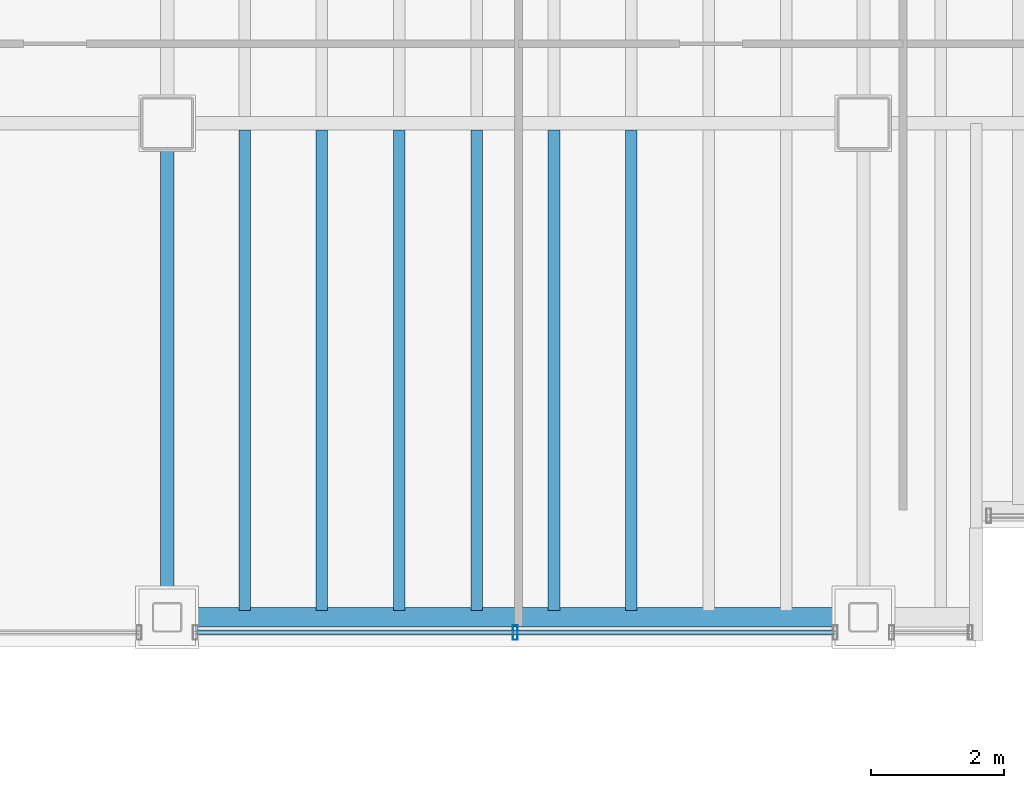
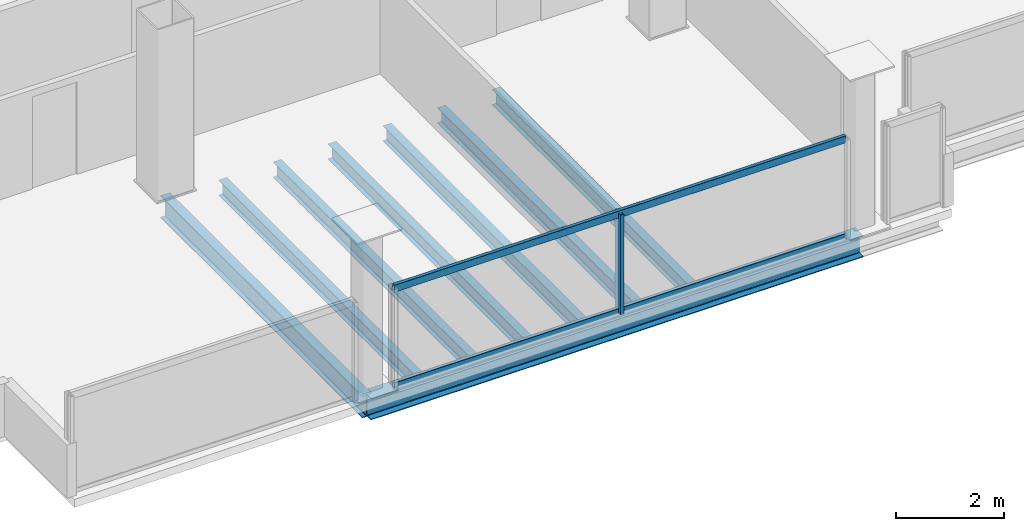
# One storey, part 3 of 16: 8 beams, 3 members, 1 element without a shape of its own.
"""IFC4 building model written with IfcOpenShell, lengths in metres."""

from ifc_helpers import new_model, si_unit, direction, frame, origin, origin_2d, place, context, subcontext, project, spatial, hollow_rectangle, i_section, extrude, material, material_profile, profile_set, type_object, element, aggregate, save


model = new_model("IFC4")

# Units and contexts
model_context = context("Model", 3, precision=1e-05, world=origin(), true_north=direction((0.0, 1.0)))
body_context = subcontext(model_context, "Body", "Model", "MODEL_VIEW")
ifc_project = project(units=[si_unit("LENGTHUNIT", "METRE"), si_unit("AREAUNIT", "SQUARE_METRE"), si_unit("VOLUMEUNIT", "CUBIC_METRE"), si_unit("PLANEANGLEUNIT", "RADIAN"), si_unit("MASSUNIT", "GRAM", prefix="KILO")], contexts=[model_context])

# Site, building, storey
site_placement = place(None, origin())
site = spatial("IfcSite", under=ifc_project, at=site_placement, CompositionType="ELEMENT")
building_placement = place(site_placement, origin())
building = spatial("IfcBuilding", under=site, at=building_placement, Name="Noeulbin Bourse Tower", CompositionType="ELEMENT")
storey_placement = place(building_placement, frame((0.0, 0.0, 254.0)))
storey = spatial("IfcBuildingStorey", under=building, at=storey_placement, Name="L63", CompositionType="ELEMENT", Elevation=254.0)

# Beams
ifc_material_1 = material(Name="Steel S355", Category="steel")
ifc_material_profile_1 = material_profile(ifc_material_1, i_section(OverallWidth=0.199951171875, OverallDepth=0.5, WebThickness=0.010009765625, FlangeThickness=0.01611328125, FilletRadius=0.02001953125, at=origin_2d()), Name="H-500x200x10x16", Category="LoadBearing")
ifc_profile_set_1 = profile_set([ifc_material_profile_1], Name="Steel S355")
beam_type_1 = type_object("IfcBeamType", Name="BM-GRD-500", PredefinedType="USERDEFINED", material=ifc_profile_set_1)
beam_1_placement = place(storey_placement, frame((13.5, 12.550048828125, -0.429931640625), z_axis=(0.0, 1.0, 0.0), x_axis=(-1.0, 0.0, 0.0)))
element("IfcBeam", 1, at=beam_1_placement, inside=storey, type_object=beam_type_1, Name="Tower Primary Girder NS L63-1.1", ObjectType="GIRDER", PredefinedType="USERDEFINED", context=body_context, shape_type="SweptSolid", body=[
    extrude(i_section(OverallWidth=0.199951171875, OverallDepth=0.5, WebThickness=0.010009765625, FlangeThickness=0.01611328125, FilletRadius=0.02001953125, at=origin_2d()), origin(), (0.0, 0.0, 1.0), 7.449951171875),
])
ifc_material_profile_2 = material_profile(ifc_material_1, i_section(OverallWidth=0.175048828125, OverallDepth=0.35009765625, WebThickness=0.007080078125, FlangeThickness=0.010986328125, FilletRadius=0.013916015625, at=origin_2d()), Name="H-350x175x7x11", Category="LoadBearing")
ifc_profile_set_2 = profile_set([ifc_material_profile_2], Name="Steel S355")
beam_type_2 = type_object("IfcBeamType", Name="BM-JST-350", PredefinedType="JOIST", material=ifc_profile_set_2)
for number, where, z_axis, x_axis, name in (
    (2, (14.666748046875, 12.64990234375, -0.35498046875), (0.0, 1.0, 0.0), (-1.0, 0.0, 0.0), "Tower Composite Joist L63-01"),
    (3, (15.833251953125, 12.64990234375, -0.35498046875), (0.0, 1.0, 0.0), (-1.0, 0.0, 0.0), "Tower Composite Joist L63-03"),
    (4, (17.0, 12.64990234375, -0.35498046875), (0.0, 1.0, 0.0), (-1.0, 0.0, 0.0), "Tower Composite Joist L63-05"),
    (5, (18.166748046875, 12.64990234375, -0.35498046875), (0.0, 1.0, 0.0), (-1.0, 0.0, 0.0), "Tower Composite Joist L63-07"),
    (6, (19.333251953125, 12.64990234375, -0.35498046875), (0.0, 1.0, 0.0), (-1.0, 0.0, 0.0), "Tower Composite Joist L63-09"),
    (7, (20.5, 12.64990234375, -0.35498046875), (0.0, 1.0, 0.0), (-1.0, 0.0, 0.0), "Tower Composite Joist L63-11"),
):
    element("IfcBeam", number, at=place(storey_placement, frame(where, z_axis=z_axis, x_axis=x_axis)), inside=storey, type_object=beam_type_2, Name=name, PredefinedType="JOIST", context=body_context, shape_type="SweptSolid", body=[
        extrude(i_section(OverallWidth=0.175048828125, OverallDepth=0.35009765625, WebThickness=0.007080078125, FlangeThickness=0.010986328125, FilletRadius=0.013916015625, at=origin_2d()), origin(), (0.0, 0.0, 1.0), 7.25),
    ])
ifc_material_profile_3 = material_profile(ifc_material_1, i_section(OverallWidth=0.300048828125, OverallDepth=0.488037109375, WebThickness=0.010986328125, FlangeThickness=0.01806640625, FilletRadius=0.02197265625, at=origin_2d()), Name="H-488x300x11x18", Category="LoadBearing")
ifc_profile_set_3 = profile_set([ifc_material_profile_3], Name="Steel S355")
beam_type_3 = type_object("IfcBeamType", Name="BM-SPN-488", PredefinedType="SPANDREL", material=ifc_profile_set_3)
beam_2_placement = place(storey_placement, frame((13.5, 12.550048828125, -0.424072265625), z_axis=(1.0, 0.0, 0.0), x_axis=(0.0, 1.0, 0.0)))
element("IfcBeam", 8, at=beam_2_placement, inside=storey, type_object=beam_type_3, Name="South Spandrel L63-1", PredefinedType="SPANDREL", context=body_context, shape_type="SweptSolid", body=[
    extrude(i_section(OverallWidth=0.300048828125, OverallDepth=0.488037109375, WebThickness=0.010986328125, FlangeThickness=0.01806640625, FilletRadius=0.02197265625, at=origin_2d()), origin(), (0.0, 0.0, 1.0), 10.5),
])

# Curtain wall, members
ifc_material_2 = material(Name="High-Selectivity Low-Iron Glazing", Category="glass")
curtain_wall_type = type_object("IfcCurtainWallType", Name="CW-SYS-4", PredefinedType="NOTDEFINED", material=ifc_material_2)
curtain_wall_placement = place(storey_placement, origin())
curtain_wall = element("IfcCurtainWall", 9, at=curtain_wall_placement, inside=storey, type_object=curtain_wall_type, Name="Unitised Curtain Wall CW-L63-S1-S2", PredefinedType="NOTDEFINED")
ifc_material_3 = material(Name="Anodised Aluminium 6063-T6", Category="aluminium")
ifc_material_profile_4 = material_profile(ifc_material_3, hollow_rectangle(XDim=0.074951171875, YDim=0.219970703125, WallThickness=0.0048828125, InnerFilletRadius=0.00244140625, OuterFilletRadius=0.0048828125, at=origin_2d()), Name="ALU-MULL-75x220x5", Category="LoadBearing")
ifc_profile_set_4 = profile_set([ifc_material_profile_4], Name="Anodised Aluminium 6063-T6")
member_type_1 = type_object("IfcMemberType", Name="CW-SYS-4-MUL", PredefinedType="MULLION", material=ifc_profile_set_4)
member_1_placement = place(storey_placement, frame((18.75, 12.320068359375, -0.02001953125), z_axis=(0.0, 0.0, 1.0), x_axis=(1.0, 0.0, 0.0)))
member_1 = element("IfcMember", 10, at=member_1_placement, type_object=member_type_1, Name="Curtain Wall Mullion CW-L63-S1-S2-M01", PredefinedType="MULLION", context=body_context, shape_type="SweptSolid", body=[
    extrude(hollow_rectangle(XDim=0.074951171875, YDim=0.219970703125, WallThickness=0.0048828125, InnerFilletRadius=0.00244140625, OuterFilletRadius=0.0048828125, at=origin_2d()), origin(), (0.0, 0.0, 1.0), 2.260009765625),
])
ifc_material_profile_5 = material_profile(ifc_material_3, hollow_rectangle(XDim=0.074951171875, YDim=0.159912109375, WallThickness=0.0048828125, InnerFilletRadius=0.00244140625, OuterFilletRadius=0.0048828125, at=origin_2d()), Name="ALU-TRAN-75x160x5", Category="LoadBearing")
ifc_profile_set_5 = profile_set([ifc_material_profile_5], Name="Anodised Aluminium 6063-T6")
member_type_2 = type_object("IfcMemberType", Name="CW-SYS-4-TRN", PredefinedType="USERDEFINED", material=ifc_profile_set_5)
member_2_placement = place(storey_placement, frame((13.93505859375, 12.320068359375, 0.010009765625), z_axis=(1.0, 0.0, 0.0), x_axis=(0.0, 1.0, 0.0)))
member_2 = element("IfcMember", 11, at=member_2_placement, type_object=member_type_2, Name="Curtain Wall Transom CW-L63-S1-S2-T00", ObjectType="TRANSOM", PredefinedType="USERDEFINED", context=body_context, shape_type="SweptSolid", body=[
    extrude(hollow_rectangle(XDim=0.074951171875, YDim=0.159912109375, WallThickness=0.0048828125, InnerFilletRadius=0.00244140625, OuterFilletRadius=0.0048828125, at=origin_2d()), origin(), (0.0, 0.0, 1.0), 9.6298828125),
])
member_3_placement = place(storey_placement, frame((13.93505859375, 12.320068359375, 2.2099609375), z_axis=(1.0, 0.0, 0.0), x_axis=(0.0, 1.0, 0.0)))
member_3 = element("IfcMember", 12, at=member_3_placement, type_object=member_type_2, Name="Curtain Wall Transom CW-L63-S1-S2-T01", ObjectType="TRANSOM", PredefinedType="USERDEFINED", context=body_context, shape_type="SweptSolid", body=[
    extrude(hollow_rectangle(XDim=0.074951171875, YDim=0.159912109375, WallThickness=0.0048828125, InnerFilletRadius=0.00244140625, OuterFilletRadius=0.0048828125, at=origin_2d()), origin(), (0.0, 0.0, 1.0), 9.6298828125),
])
aggregate(curtain_wall, [member_1, member_2, member_3])

save(model, "model.ifc")
